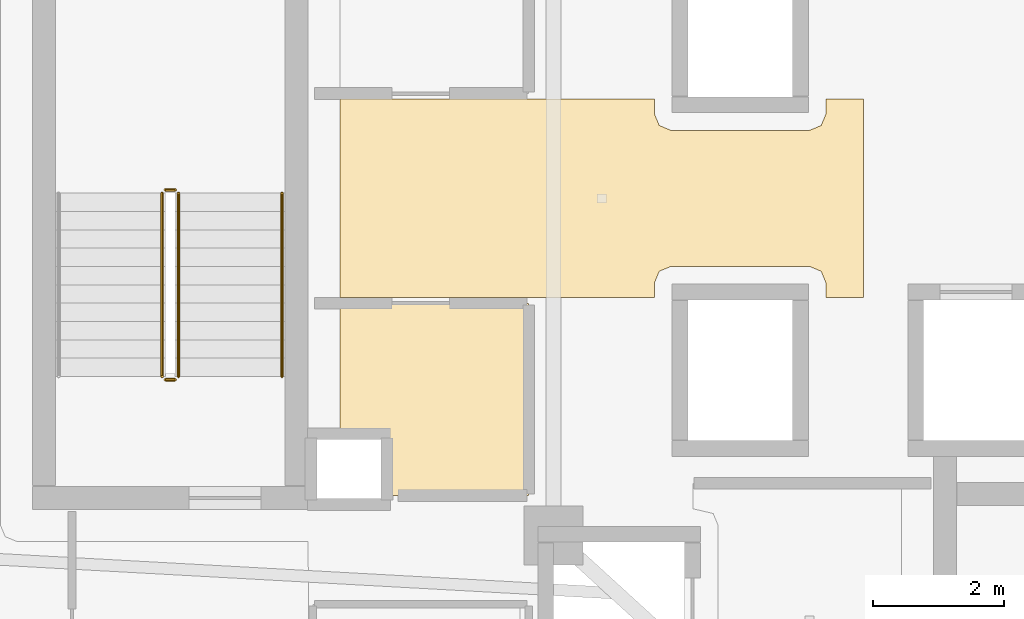
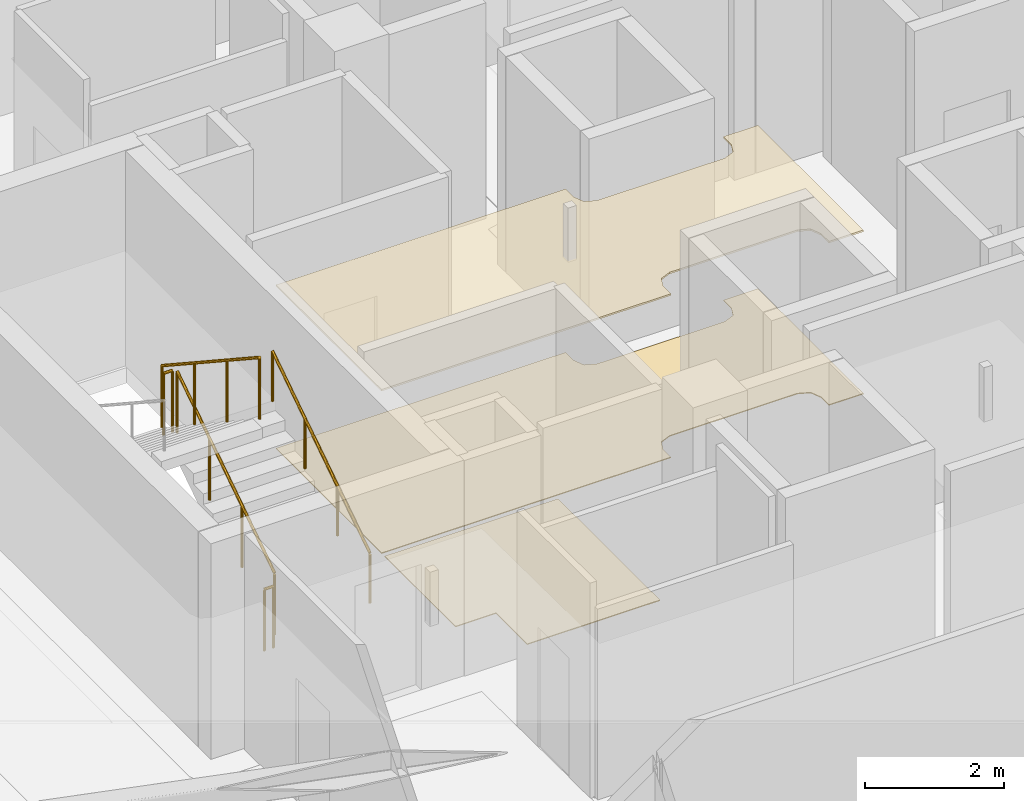
# One storey, part 34 of 39: 5 railings, 3 coverings.
"""IFC4 building model written with IfcOpenShell, lengths in metres."""

from ifc_helpers import new_model, si_unit, direction, frame, origin, origin_2d, place, context, subcontext, project, spatial, polyline, circle, outline, extrude, material, layer, layer_set, type_object, element, save


model = new_model("IFC4")

# Units and contexts
model_context = context("Model", 3, precision=1e-05, world=origin(), true_north=direction((0.0, 1.0)))
body_context = subcontext(model_context, "Body", "Model", "MODEL_VIEW")
ifc_project = project(units=[si_unit("LENGTHUNIT", "METRE"), si_unit("AREAUNIT", "SQUARE_METRE"), si_unit("VOLUMEUNIT", "CUBIC_METRE"), si_unit("PLANEANGLEUNIT", "RADIAN"), si_unit("MASSUNIT", "GRAM", prefix="KILO")], contexts=[model_context])

# Site, building, storey
site_placement = place(None, origin())
site = spatial("IfcSite", under=ifc_project, at=site_placement, CompositionType="ELEMENT")
building_placement = place(site_placement, origin())
building = spatial("IfcBuilding", under=site, at=building_placement, Name="Qorvath Tower", CompositionType="ELEMENT")
storey_placement = place(building_placement, frame((0.0, 0.0, 201.0)))
storey = spatial("IfcBuildingStorey", under=building, at=storey_placement, Name="L46", CompositionType="ELEMENT", Elevation=201.0)

# Coverings
ifc_material_1 = material(Name="Acoustic mineral fibre ceiling tile", Category="gypsum")
ifc_layer_1 = layer(ifc_material_1, 0.030029296875)
ifc_layer_set_1 = layer_set([ifc_layer_1], Name="COV-CEIL")
covering_type_1 = type_object("IfcCoveringType", Name="COV-CEIL", PredefinedType="CEILING", material=ifc_layer_set_1)
covering_1_placement = place(storey_placement, frame((0.0, 0.0, 2.85009765625)))
element("IfcCovering", 1, at=covering_1_placement, inside=storey, type_object=covering_type_1, Name="L46 Suspended Acoustic Ceiling 011", PredefinedType="CEILING", context=body_context, shape_type="SweptSolid", body=[
    extrude(outline(polyline([(-25.76806640625, -1.514892578125), (-25.76806640625, 1.514892578125), (-26.340087890625, 1.514892578125), (-26.340087890625, 1.2900390625), (-26.413330078125, 1.11328125), (-26.590087890625, 1.0400390625), (-28.7099609375, 1.0400390625), (-28.88671875, 1.11328125), (-28.9599609375, 1.2900390625), (-28.9599609375, 1.514892578125), (-33.760009765625, 1.514892578125), (-33.760009765625, -1.514892578125), (-28.9599609375, -1.514892578125), (-28.9599609375, -1.2900390625), (-28.88671875, -1.11328125), (-28.7099609375, -1.0400390625), (-26.590087890625, -1.0400390625), (-26.413330078125, -1.11328125), (-26.340087890625, -1.2900390625), (-26.340087890625, -1.514892578125), (-25.76806640625, -1.514892578125)])), origin(), (0.0, 0.0, 1.0), 0.030029296875),
])
ifc_material_2 = material(Name="Low-VOC modular carpet tile", Category="textile")
ifc_layer_2 = layer(ifc_material_2, 0.014892578125)
ifc_layer_set_2 = layer_set([ifc_layer_2], Name="COV-FLOOR-CPT")
covering_type_2 = type_object("IfcCoveringType", Name="COV-FLOOR-CPT", PredefinedType="FLOORING", material=ifc_layer_set_2)
covering_2_placement = place(storey_placement, origin())
element("IfcCovering", 2, at=covering_2_placement, inside=storey, type_object=covering_type_2, Name="L46 Floor Finish 008", PredefinedType="FLOORING", context=body_context, shape_type="SweptSolid", body=[
    extrude(outline(polyline([(-30.885009765625, -4.534912109375), (-30.885009765625, -1.60498046875), (-33.760009765625, -1.60498046875), (-33.760009765625, -3.636962890625), (-33.08837890625, -3.638427734375), (-33.0869140625, -4.534912109375), (-30.885009765625, -4.534912109375)])), origin(), (0.0, 0.0, 1.0), 0.014892578125),
])
ifc_material_3 = material(Name="Polished epoxy terrazzo flooring", Category="concrete")
ifc_layer_3 = layer(ifc_material_3, 0.02001953125)
ifc_layer_set_3 = layer_set([ifc_layer_3], Name="COV-FLOOR-TRZ")
covering_type_3 = type_object("IfcCoveringType", Name="COV-FLOOR-TRZ", PredefinedType="FLOORING", material=ifc_layer_set_3)
covering_3_placement = place(storey_placement, origin())
element("IfcCovering", 3, at=covering_3_placement, inside=storey, type_object=covering_type_3, Name="L46 Floor Finish 011", PredefinedType="FLOORING", context=body_context, shape_type="SweptSolid", body=[
    extrude(outline(polyline([(-25.76806640625, -1.514892578125), (-25.76806640625, 1.514892578125), (-26.340087890625, 1.514892578125), (-26.340087890625, 1.2900390625), (-26.413330078125, 1.11328125), (-26.590087890625, 1.0400390625), (-28.7099609375, 1.0400390625), (-28.88671875, 1.11328125), (-28.9599609375, 1.2900390625), (-28.9599609375, 1.514892578125), (-33.760009765625, 1.514892578125), (-33.760009765625, -1.514892578125), (-28.9599609375, -1.514892578125), (-28.9599609375, -1.2900390625), (-28.88671875, -1.11328125), (-28.7099609375, -1.0400390625), (-26.590087890625, -1.0400390625), (-26.413330078125, -1.11328125), (-26.340087890625, -1.2900390625), (-26.340087890625, -1.514892578125), (-25.76806640625, -1.514892578125)])), origin(), (0.0, 0.0, 1.0), 0.014892578125),
])

# Railings
ifc_material_4 = material(Name="Painted galvanised steel", Category="steel")
railing_type_1 = type_object("IfcRailingType", Name="RL-STR-GRD", PredefinedType="GUARDRAIL", material=ifc_material_4)
railing_1_placement = place(storey_placement, frame((-36.22998046875, -2.719970703125, 0.18408203125)))
element("IfcRailing", 4, at=railing_1_placement, inside=storey, type_object=railing_type_1, Name="L46 TS3 stair guard 1", PredefinedType="GUARDRAIL", context=body_context, shape_type="SweptSolid", body=[
    extrude(circle(Radius=0.02392578125, at=origin_2d()), frame((0.0, 0.0, 1.076171875), z_axis=(0.0, 0.835597507184, 0.549342157483), x_axis=(-1.0, 0.0, 0.0)), (0.0, 0.0, 1.0), 3.35107421875),
    extrude(circle(Radius=0.02099609375, at=origin_2d()), origin(), (0.0, 0.0, 1.0), 1.052001953125),
    extrude(circle(Radius=0.02099609375, at=origin_2d()), frame((0.0, 0.933349609375, 0.613525390625)), (0.0, 0.0, 1.0), 1.052001953125),
    extrude(circle(Radius=0.02099609375, at=origin_2d()), frame((0.0, 1.86669921875, 1.227294921875)), (0.0, 0.0, 1.0), 1.052001953125),
    extrude(circle(Radius=0.02099609375, at=origin_2d()), frame((0.0, 2.800048828125, 1.8408203125)), (0.0, 0.0, 1.0), 1.052001953125),
])
railing_2_placement = place(storey_placement, frame((-36.280029296875, 0.1298828125, 2.02490234375)))
element("IfcRailing", 5, at=railing_2_placement, inside=storey, type_object=railing_type_1, Name="L46 TS3 stair guard 2", PredefinedType="GUARDRAIL", context=body_context, shape_type="SweptSolid", body=[
    extrude(circle(Radius=0.02392578125, at=origin_2d()), frame((0.0, 0.0, 1.076171875), z_axis=(-1.0, 0.0, 0.0), x_axis=(0.0, -1.0, 0.0)), (0.0, 0.0, 1.0), 0.14990234375),
    extrude(circle(Radius=0.02099609375, at=origin_2d()), origin(), (0.0, 0.0, 1.0), 1.052001953125),
    extrude(circle(Radius=0.02099609375, at=origin_2d()), frame((-0.14990234375, 0.0, 0.0)), (0.0, 0.0, 1.0), 1.052001953125),
])
railing_3_placement = place(storey_placement, frame((-36.47998046875, 0.080078125, 2.208984375)))
element("IfcRailing", 6, at=railing_3_placement, inside=storey, type_object=railing_type_1, Name="L46 TS3 stair guard 3", PredefinedType="GUARDRAIL", context=body_context, shape_type="SweptSolid", body=[
    extrude(circle(Radius=0.02392578125, at=origin_2d()), frame((0.0, 0.0, 1.076171875), z_axis=(0.0, -0.83556406348, 0.549393024911), x_axis=(1.0, 0.0, 0.0)), (0.0, 0.0, 1.0), 3.35107421875),
    extrude(circle(Radius=0.02099609375, at=origin_2d()), origin(), (0.0, 0.0, 1.0), 1.052001953125),
    extrude(circle(Radius=0.02099609375, at=origin_2d()), frame((0.0, -0.933349609375, 0.61376953125)), (0.0, 0.0, 1.0), 1.052001953125),
    extrude(circle(Radius=0.02099609375, at=origin_2d()), frame((0.0, -1.86669921875, 1.227294921875)), (0.0, 0.0, 1.0), 1.052001953125),
    extrude(circle(Radius=0.02099609375, at=origin_2d()), frame((0.0, -2.800048828125, 1.841064453125)), (0.0, 0.0, 1.0), 1.052001953125),
])
railing_4_placement = place(storey_placement, frame((-36.280029296875, -2.77001953125, 0.0)))
element("IfcRailing", 7, at=railing_4_placement, inside=storey, type_object=railing_type_1, Name="L46 TS3 stair guard 4", PredefinedType="GUARDRAIL", context=body_context, shape_type="SweptSolid", body=[
    extrude(circle(Radius=0.02392578125, at=origin_2d()), frame((0.0, 0.0, 1.076171875), z_axis=(-1.0, 0.0, 0.0), x_axis=(0.0, -1.0, 0.0)), (0.0, 0.0, 1.0), 0.14990234375),
    extrude(circle(Radius=0.02099609375, at=origin_2d()), origin(), (0.0, 0.0, 1.0), 1.052001953125),
    extrude(circle(Radius=0.02099609375, at=origin_2d()), frame((-0.14990234375, 0.0, 0.0)), (0.0, 0.0, 1.0), 1.052001953125),
])
ifc_material_5 = material(Name="Brushed stainless steel AISI 304", Category="steel")
railing_type_2 = type_object("IfcRailingType", Name="RL-STR-HND", PredefinedType="HANDRAIL", material=ifc_material_5)
railing_5_placement = place(storey_placement, frame((-34.64990234375, -2.719970703125, 0.18408203125)))
element("IfcRailing", 8, at=railing_5_placement, inside=storey, type_object=railing_type_2, Name="L46 TS3 stair handrail 1", PredefinedType="HANDRAIL", context=body_context, shape_type="SweptSolid", body=[
    extrude(circle(Radius=0.02392578125, at=origin_2d()), frame((0.0, 0.0, 0.8759765625), z_axis=(0.0, 0.835597507184, 0.549342157483), x_axis=(-1.0, 0.0, 0.0)), (0.0, 0.0, 1.0), 3.35107421875),
    extrude(circle(Radius=0.02099609375, at=origin_2d()), origin(), (0.0, 0.0, 1.0), 0.851806640625),
    extrude(circle(Radius=0.02099609375, at=origin_2d()), frame((0.0, 0.933349609375, 0.613525390625)), (0.0, 0.0, 1.0), 0.851806640625),
    extrude(circle(Radius=0.02099609375, at=origin_2d()), frame((0.0, 1.86669921875, 1.227294921875)), (0.0, 0.0, 1.0), 0.851806640625),
    extrude(circle(Radius=0.02099609375, at=origin_2d()), frame((0.0, 2.800048828125, 1.8408203125)), (0.0, 0.0, 1.0), 0.851806640625),
])

save(model, "model.ifc")
